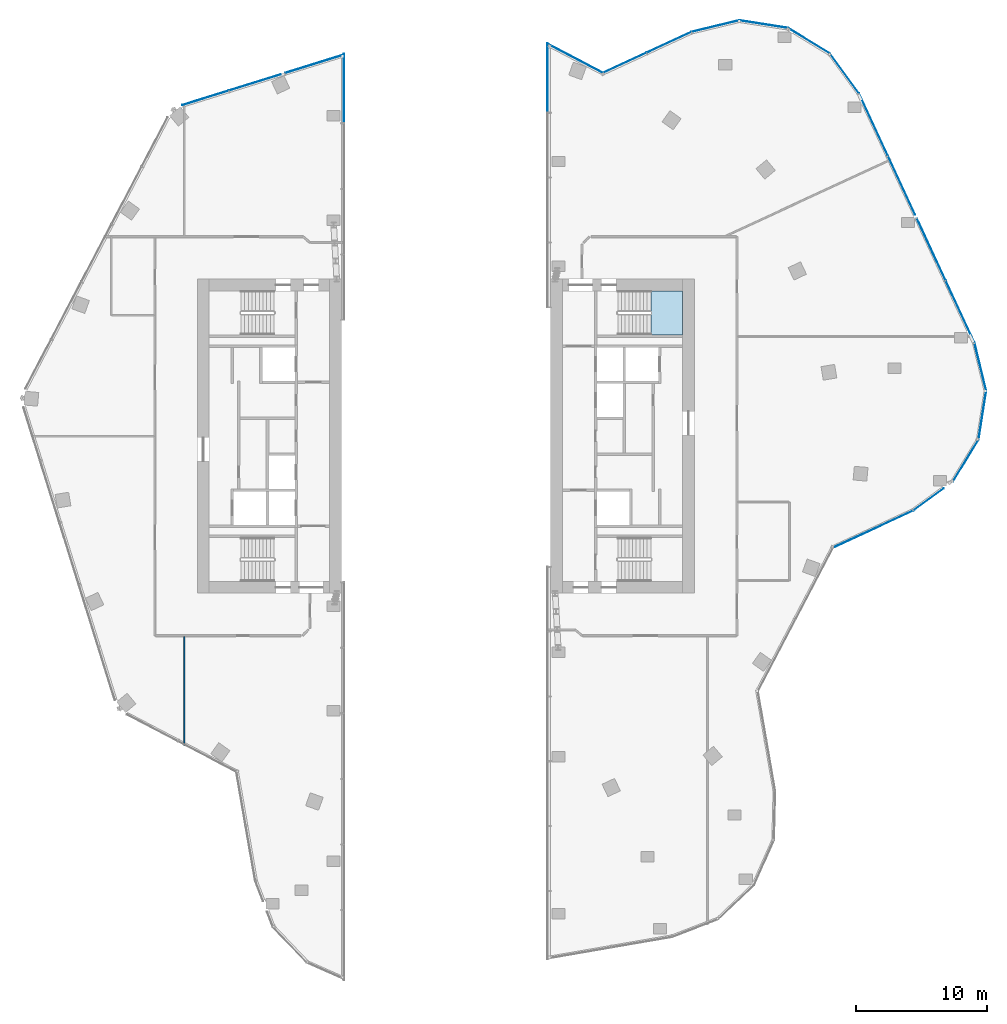
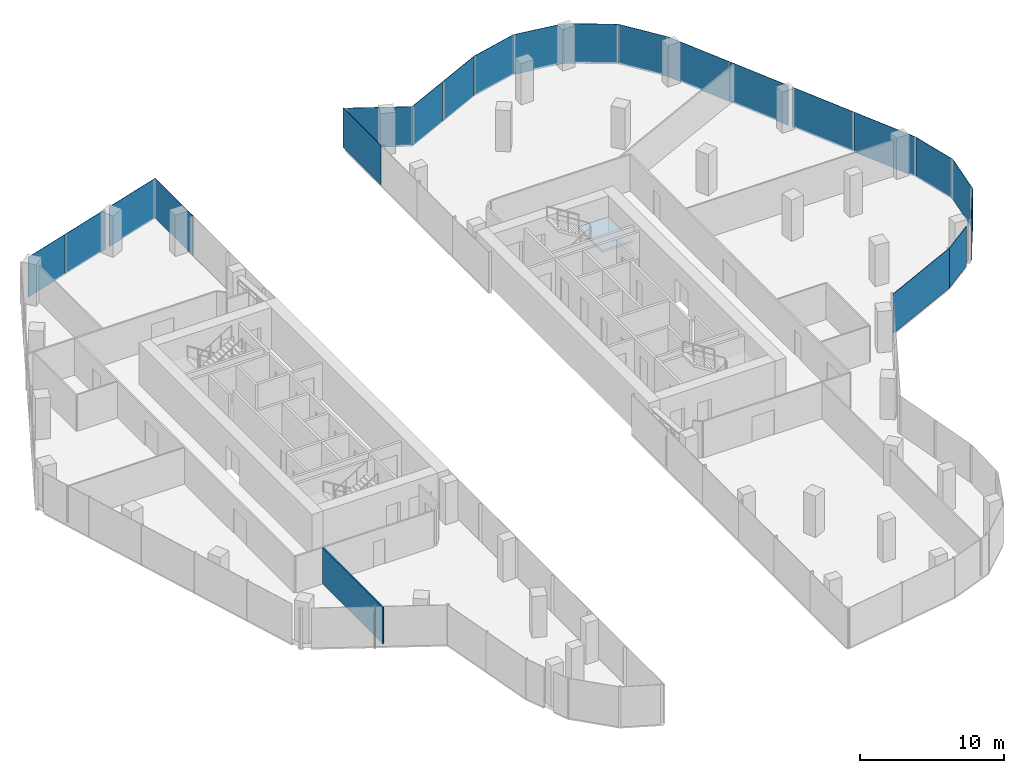
# One storey, part 17 of 23: 21 plates, 1 slab, 1 wall, 16 elements without a shape of their own.
"""IFC4 building model written with IfcOpenShell, lengths in metres."""

from ifc_helpers import new_model, si_unit, direction, frame, frame_2d, origin, origin_2d, place, context, subcontext, project, spatial, polyline, rectangle, outline, extrude, material, layer, layer_set, type_object, element, aggregate, save


model = new_model("IFC4")

# Units and contexts
model_context = context("Model", 3, precision=1e-05, world=origin(), true_north=direction((0.0, 1.0)))
body_context = subcontext(model_context, "Body", "Model", "MODEL_VIEW")
ifc_project = project(units=[si_unit("LENGTHUNIT", "METRE"), si_unit("AREAUNIT", "SQUARE_METRE"), si_unit("VOLUMEUNIT", "CUBIC_METRE"), si_unit("PLANEANGLEUNIT", "RADIAN"), si_unit("MASSUNIT", "GRAM", prefix="KILO")], contexts=[model_context])

# Site, building, storey
site_placement = place(None, origin())
site = spatial("IfcSite", under=ifc_project, at=site_placement, CompositionType="ELEMENT")
building_placement = place(site_placement, origin())
building = spatial("IfcBuilding", under=site, at=building_placement, Name="Orlundy Tower", CompositionType="ELEMENT")
storey_placement = place(building_placement, frame((0.0, 0.0, 260.5)))
storey = spatial("IfcBuildingStorey", under=building, at=storey_placement, Name="L69", CompositionType="ELEMENT", Elevation=260.5)

# Curtain wall, plates
ifc_material_1 = material(Name="Aluminium bronze anodised", Category="aluminium")
curtain_wall_type = type_object("IfcCurtainWallType", Name="CW1 wall", PredefinedType="NOTDEFINED", material=ifc_material_1)
curtain_wall_1_placement = place(storey_placement, origin())
curtain_wall_1 = element("IfcCurtainWall", 1, at=curtain_wall_1_placement, inside=storey, type_object=curtain_wall_type, Name="CW1 run 03", PredefinedType="NOTDEFINED")
ifc_material_2 = material(Name="Tinted glass", Category="glass")
ifc_layer_1 = layer(ifc_material_2, 0.031982421875)
ifc_layer_set_1 = layer_set([ifc_layer_1], Name="CW1 glass panel 32")
plate_type_1 = type_object("IfcPlateType", Name="CW1 glass panel 32", PredefinedType="CURTAIN_PANEL", material=ifc_layer_set_1)
plate_1_placement = place(storey_placement, frame((-18.385009765625, 25.860595703125, -0.280029296875), z_axis=(0.0, 0.0, 1.0), x_axis=(0.954586077066, 0.297935263894, 0.0)))
plate_1 = element("IfcPlate", 2, at=plate_1_placement, type_object=plate_type_1, Name="CW1 panel", PredefinedType="CURTAIN_PANEL", context=body_context, shape_type="SweptSolid", body=[
    extrude(rectangle(XDim=3.727294921875, YDim=0.031982421875, at=origin_2d()), origin(), (0.0, 0.0, 1.0), 3.3798828125),
])
plate_2_placement = place(storey_placement, frame((-14.598388671875, 27.042236328125, -0.280029296875), z_axis=(0.0, 0.0, 1.0), x_axis=(0.954586077066, 0.297935263894, 0.0)))
plate_2 = element("IfcPlate", 3, at=plate_2_placement, type_object=plate_type_1, Name="CW1 panel", PredefinedType="CURTAIN_PANEL", context=body_context, shape_type="SweptSolid", body=[
    extrude(rectangle(XDim=4.106201171875, YDim=0.031982421875, at=origin_2d()), origin(), (0.0, 0.0, 1.0), 3.3798828125),
])
plate_3_placement = place(storey_placement, frame((-10.0498046875, 28.4619140625, -0.280029296875), z_axis=(0.0, 0.0, 1.0), x_axis=(0.954586077066, 0.297935263894, 0.0)))
plate_3 = element("IfcPlate", 4, at=plate_3_placement, type_object=plate_type_1, Name="CW1 panel", PredefinedType="CURTAIN_PANEL", context=body_context, shape_type="SweptSolid", body=[
    extrude(rectangle(XDim=4.638427734375, YDim=0.031982421875, at=origin_2d()), origin(), (0.0, 0.0, 1.0), 3.3798828125),
])
aggregate(curtain_wall_1, [plate_1, plate_2, plate_3])

curtain_wall_2_placement = place(storey_placement, origin())
curtain_wall_2 = element("IfcCurtainWall", 5, at=curtain_wall_2_placement, inside=storey, type_object=curtain_wall_type, Name="CW1 run 10", PredefinedType="NOTDEFINED")
plate_4_placement = place(storey_placement, frame((13.65625, 28.538330078125, -0.280029296875), z_axis=(0.0, 0.0, 1.0), x_axis=(0.907535327513, 0.419975748486, 0.0)))
plate_4 = element("IfcPlate", 6, at=plate_4_placement, type_object=plate_type_1, Name="CW1 panel", PredefinedType="CURTAIN_PANEL", context=body_context, shape_type="SweptSolid", body=[
    extrude(rectangle(XDim=3.659912109375, YDim=0.031982421875, at=origin_2d()), origin(), (0.0, 0.0, 1.0), 3.3798828125),
])
plate_5_placement = place(storey_placement, frame((17.0556640625, 30.111328125, -0.280029296875), z_axis=(0.0, 0.0, 1.0), x_axis=(0.907535327513, 0.419975748486, 0.0)))
plate_5 = element("IfcPlate", 7, at=plate_5_placement, type_object=plate_type_1, Name="CW1 panel", PredefinedType="CURTAIN_PANEL", context=body_context, shape_type="SweptSolid", body=[
    extrude(rectangle(XDim=3.731689453125, YDim=0.031982421875, at=origin_2d()), origin(), (0.0, 0.0, 1.0), 3.3798828125),
])
aggregate(curtain_wall_2, [plate_4, plate_5])

# Curtain wall, plate
curtain_wall_3_placement = place(storey_placement, origin())
curtain_wall_3 = element("IfcCurtainWall", 8, at=curtain_wall_3_placement, inside=storey, type_object=curtain_wall_type, Name="CW1 run 11", PredefinedType="NOTDEFINED")
plate_6_placement = place(storey_placement, frame((20.609130859375, 31.349853515625, -0.280029296875), z_axis=(0.0, 0.0, 1.0), x_axis=(0.972001521614, 0.234974556025, 0.0)))
plate_6 = element("IfcPlate", 9, at=plate_6_placement, type_object=plate_type_1, Name="CW1 panel", PredefinedType="CURTAIN_PANEL", context=body_context, shape_type="SweptSolid", body=[
    extrude(rectangle(XDim=3.73046875, YDim=0.031982421875, at=origin_2d()), origin(), (0.0, 0.0, 1.0), 3.3798828125),
])
aggregate(curtain_wall_3, [plate_6])

curtain_wall_4_placement = place(storey_placement, origin())
curtain_wall_4 = element("IfcCurtainWall", 10, at=curtain_wall_4_placement, inside=storey, type_object=curtain_wall_type, Name="CW1 run 12", PredefinedType="NOTDEFINED")
plate_7_placement = place(storey_placement, frame((24.285400390625, 31.49560546875, -0.280029296875), z_axis=(0.0, 0.0, 1.0), x_axis=(0.987896030416, -0.15511748157, 0.0)))
plate_7 = element("IfcPlate", 11, at=plate_7_placement, type_object=plate_type_1, Name="CW1 panel", PredefinedType="CURTAIN_PANEL", context=body_context, shape_type="SweptSolid", body=[
    extrude(rectangle(XDim=3.772216796875, YDim=0.031982421875, at=origin_2d()), origin(), (0.0, 0.0, 1.0), 3.3798828125),
])
aggregate(curtain_wall_4, [plate_7])

curtain_wall_5_placement = place(storey_placement, origin())
curtain_wall_5 = element("IfcCurtainWall", 12, at=curtain_wall_5_placement, inside=storey, type_object=curtain_wall_type, Name="CW1 run 13", PredefinedType="NOTDEFINED")
plate_8_placement = place(storey_placement, frame((27.758544921875, 30.219970703125, -0.280029296875), z_axis=(0.0, 0.0, 1.0), x_axis=(0.853468477843, -0.521144468768, 0.0)))
plate_8 = element("IfcPlate", 13, at=plate_8_placement, type_object=plate_type_1, Name="CW1 panel", PredefinedType="CURTAIN_PANEL", context=body_context, shape_type="SweptSolid", body=[
    extrude(rectangle(XDim=3.7724609375, YDim=0.031982421875, at=origin_2d()), origin(), (0.0, 0.0, 1.0), 3.3798828125),
])
aggregate(curtain_wall_5, [plate_8])

curtain_wall_6_placement = place(storey_placement, origin())
curtain_wall_6 = element("IfcCurtainWall", 14, at=curtain_wall_6_placement, inside=storey, type_object=curtain_wall_type, Name="CW1 run 14", PredefinedType="NOTDEFINED")
plate_9_placement = place(storey_placement, frame((30.466796875, 27.7294921875, -0.280029296875), z_axis=(0.0, 0.0, 1.0), x_axis=(0.588893262489, -0.80821081742, 0.0)))
plate_9 = element("IfcPlate", 15, at=plate_9_placement, type_object=plate_type_1, Name="CW1 panel", PredefinedType="CURTAIN_PANEL", context=body_context, shape_type="SweptSolid", body=[
    extrude(rectangle(XDim=3.730712890625, YDim=0.031982421875, at=origin_2d()), origin(), (0.0, 0.0, 1.0), 3.3798828125),
])
aggregate(curtain_wall_6, [plate_9])

# Curtain wall, plates
curtain_wall_7_placement = place(storey_placement, origin())
curtain_wall_7 = element("IfcCurtainWall", 16, at=curtain_wall_7_placement, inside=storey, type_object=curtain_wall_type, Name="CW1 run 15", PredefinedType="NOTDEFINED")
plate_10_placement = place(storey_placement, frame((32.685791015625, 23.81201171875, -0.280029296875), z_axis=(0.0, 0.0, 1.0), x_axis=(0.419960892154, -0.907542202358, 0.0)))
plate_10 = element("IfcPlate", 17, at=plate_10_placement, type_object=plate_type_1, Name="CW1 panel", PredefinedType="CURTAIN_PANEL", context=body_context, shape_type="SweptSolid", body=[
    extrude(rectangle(XDim=5.2158203125, YDim=0.031982421875, at=origin_2d()), origin(), (0.0, 0.0, 1.0), 3.3798828125),
])
plate_11_placement = place(storey_placement, frame((34.834716796875, 19.16845703125, -0.280029296875), z_axis=(0.0, 0.0, 1.0), x_axis=(0.419960892154, -0.907542202358, 0.0)))
plate_11 = element("IfcPlate", 18, at=plate_11_placement, type_object=plate_type_1, Name="CW1 panel", PredefinedType="CURTAIN_PANEL", context=body_context, shape_type="SweptSolid", body=[
    extrude(rectangle(XDim=4.917236328125, YDim=0.031982421875, at=origin_2d()), origin(), (0.0, 0.0, 1.0), 3.3798828125),
])
plate_12_placement = place(storey_placement, frame((37.0986328125, 14.275634765625, -0.280029296875), z_axis=(0.0, 0.0, 1.0), x_axis=(0.419960892154, -0.907542202358, 0.0)))
plate_12 = element("IfcPlate", 19, at=plate_12_placement, type_object=plate_type_1, Name="CW1 panel", PredefinedType="CURTAIN_PANEL", context=body_context, shape_type="SweptSolid", body=[
    extrude(rectangle(XDim=5.199951171875, YDim=0.031982421875, at=origin_2d()), origin(), (0.0, 0.0, 1.0), 3.3798828125),
])
plate_13_placement = place(storey_placement, frame((39.306884765625, 9.50390625, -0.280029296875), z_axis=(0.0, 0.0, 1.0), x_axis=(0.419960892154, -0.907542202358, 0.0)))
plate_13 = element("IfcPlate", 20, at=plate_13_placement, type_object=plate_type_1, Name="CW1 panel", PredefinedType="CURTAIN_PANEL", context=body_context, shape_type="SweptSolid", body=[
    extrude(rectangle(XDim=5.2158203125, YDim=0.031982421875, at=origin_2d()), origin(), (0.0, 0.0, 1.0), 3.3798828125),
])
aggregate(curtain_wall_7, [plate_10, plate_11, plate_12, plate_13])

# Curtain wall, plate
curtain_wall_8_placement = place(storey_placement, origin())
curtain_wall_8 = element("IfcCurtainWall", 21, at=curtain_wall_8_placement, inside=storey, type_object=curtain_wall_type, Name="CW1 run 16", PredefinedType="NOTDEFINED")
plate_14_placement = place(storey_placement, frame((40.856689453125, 5.27685546875, -0.280029296875), z_axis=(0.0, 0.0, 1.0), x_axis=(0.234974556025, -0.972001521614, 0.0)))
plate_14 = element("IfcPlate", 22, at=plate_14_placement, type_object=plate_type_1, Name="CW1 panel", PredefinedType="CURTAIN_PANEL", context=body_context, shape_type="SweptSolid", body=[
    extrude(rectangle(XDim=3.73046875, YDim=0.031982421875, at=origin_2d()), origin(), (0.0, 0.0, 1.0), 3.3798828125),
])
aggregate(curtain_wall_8, [plate_14])

curtain_wall_9_placement = place(storey_placement, origin())
curtain_wall_9 = element("IfcCurtainWall", 23, at=curtain_wall_9_placement, inside=storey, type_object=curtain_wall_type, Name="CW1 run 17", PredefinedType="NOTDEFINED")
plate_15_placement = place(storey_placement, frame((41.00244140625, 1.6005859375, -0.280029296875), z_axis=(0.0, 0.0, 1.0), x_axis=(-0.15511748157, -0.987896030416, 0.0)))
plate_15 = element("IfcPlate", 24, at=plate_15_placement, type_object=plate_type_1, Name="CW1 panel", PredefinedType="CURTAIN_PANEL", context=body_context, shape_type="SweptSolid", body=[
    extrude(rectangle(XDim=3.772216796875, YDim=0.031982421875, at=origin_2d()), origin(), (0.0, 0.0, 1.0), 3.3798828125),
])
aggregate(curtain_wall_9, [plate_15])

curtain_wall_10_placement = place(storey_placement, origin())
curtain_wall_10 = element("IfcCurtainWall", 25, at=curtain_wall_10_placement, inside=storey, type_object=curtain_wall_type, Name="CW1 run 18", PredefinedType="NOTDEFINED")
plate_16_placement = place(storey_placement, frame((39.72705078125, -1.8720703125, -0.280029296875), z_axis=(0.0, 0.0, 1.0), x_axis=(-0.521264467859, -0.85339519248, 0.0)))
plate_16 = element("IfcPlate", 26, at=plate_16_placement, type_object=plate_type_1, Name="CW1 panel", PredefinedType="CURTAIN_PANEL", context=body_context, shape_type="SweptSolid", body=[
    extrude(rectangle(XDim=3.771484375, YDim=0.031982421875, at=origin_2d()), origin(), (0.0, 0.0, 1.0), 3.3798828125),
])
aggregate(curtain_wall_10, [plate_16])

curtain_wall_11_placement = place(storey_placement, origin())
curtain_wall_11 = element("IfcCurtainWall", 27, at=curtain_wall_11_placement, inside=storey, type_object=curtain_wall_type, Name="CW1 run 19", PredefinedType="NOTDEFINED")
plate_17_placement = place(storey_placement, frame((36.887939453125, -4.834228515625, -0.280029296875), z_axis=(0.0, 0.0, 1.0), x_axis=(-0.808117234179, -0.58902167687, 0.0)))
plate_17 = element("IfcPlate", 28, at=plate_17_placement, type_object=plate_type_1, Name="CW1 panel", PredefinedType="CURTAIN_PANEL", context=body_context, shape_type="SweptSolid", body=[
    extrude(rectangle(XDim=2.8662109375, YDim=0.031982421875, at=origin_2d()), origin(), (0.0, 0.0, 1.0), 3.3798828125),
])
aggregate(curtain_wall_11, [plate_17])

curtain_wall_12_placement = place(storey_placement, origin())
curtain_wall_12 = element("IfcCurtainWall", 29, at=curtain_wall_12_placement, inside=storey, type_object=curtain_wall_type, Name="CW1 run 110", PredefinedType="NOTDEFINED")
plate_18_placement = place(storey_placement, frame((32.637451171875, -7.114501953125, -0.280029296875), z_axis=(0.0, 0.0, 1.0), x_axis=(-0.907549103061, -0.419945979305, 0.0)))
plate_18 = element("IfcPlate", 30, at=plate_18_placement, type_object=plate_type_1, Name="CW1 panel", PredefinedType="CURTAIN_PANEL", context=body_context, shape_type="SweptSolid", body=[
    extrude(rectangle(XDim=6.719482421875, YDim=0.031982421875, at=origin_2d()), origin(), (0.0, 0.0, 1.0), 3.3798828125),
])
aggregate(curtain_wall_12, [plate_18])

curtain_wall_13_placement = place(storey_placement, origin())
curtain_wall_13 = element("IfcCurtainWall", 31, at=curtain_wall_13_placement, inside=storey, type_object=curtain_wall_type, Name="CW1 run 119", PredefinedType="NOTDEFINED")
plate_19_placement = place(storey_placement, frame((9.915771484375, 28.85986328125, -0.280029296875), z_axis=(0.0, 0.0, 1.0), x_axis=(0.885696843305, -0.464264043147, 0.0)))
plate_19 = element("IfcPlate", 32, at=plate_19_placement, type_object=plate_type_1, Name="CW1 panel", PredefinedType="CURTAIN_PANEL", context=body_context, shape_type="SweptSolid", body=[
    extrude(rectangle(XDim=4.6962890625, YDim=0.031982421875, at=origin_2d()), origin(), (0.0, 0.0, 1.0), 3.3798828125),
])
aggregate(curtain_wall_13, [plate_19])

curtain_wall_14_placement = place(storey_placement, origin())
curtain_wall_14 = element("IfcCurtainWall", 33, at=curtain_wall_14_placement, inside=storey, type_object=curtain_wall_type, Name="CW1 run 04", PredefinedType="NOTDEFINED")
ifc_material_3 = material(Name="Tinted glass", Category="glass")
ifc_layer_2 = layer(ifc_material_3, 0.035888671875)
ifc_layer_set_2 = layer_set([ifc_layer_2], Name="CW6 glass panel 36")
plate_type_2 = type_object("IfcPlateType", Name="CW6 glass panel 36", PredefinedType="CURTAIN_PANEL", material=ifc_layer_set_2)
plate_20_placement = place(storey_placement, frame((-7.778076171875, 26.575439453125, -0.240234375), z_axis=(0.0, 0.0, 1.0), x_axis=(0.0, -1.0, 0.0)))
plate_20 = element("IfcPlate", 34, at=plate_20_placement, type_object=plate_type_2, Name="CW6 panel", PredefinedType="CURTAIN_PANEL", context=body_context, shape_type="SweptSolid", body=[
    extrude(rectangle(XDim=5.312744140625, YDim=0.035888671875, at=origin_2d()), origin(), (0.0, 0.0, 1.0), 3.340087890625),
])
aggregate(curtain_wall_14, [plate_20])

curtain_wall_15_placement = place(storey_placement, origin())
curtain_wall_15 = element("IfcCurtainWall", 35, at=curtain_wall_15_placement, inside=storey, type_object=curtain_wall_type, Name="CW1 run 118", PredefinedType="NOTDEFINED")
plate_21_placement = place(storey_placement, frame((7.778076171875, 27.384033203125, -0.240234375), z_axis=(0.0, 0.0, 1.0), x_axis=(0.0, 1.0, 0.0)))
plate_21 = element("IfcPlate", 36, at=plate_21_placement, type_object=plate_type_2, Name="CW6 panel", PredefinedType="CURTAIN_PANEL", context=body_context, shape_type="SweptSolid", body=[
    extrude(rectangle(XDim=5.323974609375, YDim=0.035888671875, at=origin_2d()), origin(), (0.0, 0.0, 1.0), 3.340087890625),
])
aggregate(curtain_wall_15, [plate_21])

# Stair, slab
ifc_material_4 = material(Name="Concrete C50/60", Category="concrete")
stair_type = type_object("IfcStairType", Name="Exit Stair 20 risers", PredefinedType="HALF_TURN_STAIR", material=ifc_material_4)
stair_placement = place(storey_placement, origin())
stair = element("IfcStair", 37, at=stair_placement, inside=storey, type_object=stair_type, Name="L69 Exit Stair ST-E2", PredefinedType="HALF_TURN_STAIR")
ifc_material_5 = material(Name="Concrete C50/60", Category="concrete")
ifc_layer_3 = layer(ifc_material_5, 0.199951171875)
ifc_layer_set_3 = layer_set([ifc_layer_3], Name="Exit Stair Landing")
slab_type = type_object("IfcSlabType", Name="Exit Stair Landing", PredefinedType="LANDING", material=ifc_layer_set_3)
slab_placement = place(storey_placement, frame((0.0, 0.0, 1.550048828125)))
slab = element("IfcSlab", 38, at=slab_placement, type_object=slab_type, Name="ST-E2 landing 1", PredefinedType="LANDING", context=body_context, shape_type="SweptSolid", body=[
    extrude(outline(polyline([(15.659912109375, 7.75), (18.10009765625, 7.75), (18.10009765625, 11.10009765625), (15.659912109375, 11.10009765625), (15.659912109375, 7.75)])), origin(), (0.0, 0.0, 1.0), 0.199951171875),
])
aggregate(stair, [slab])

# Wall
ifc_material_6 = material(Name="Gypsum board partition")
ifc_layer_4 = layer(ifc_material_6, 0.10009765625)
ifc_layer_set_4 = layer_set([ifc_layer_4], Name="Floor partition 100")
wall_type = type_object("IfcWallType", Name="Floor partition 100", PredefinedType="PARTITIONING", material=ifc_layer_set_4)
wall_placement = place(storey_placement, frame((-20.0, -23.6689453125, 0.0), z_axis=(0.0, 0.0, 1.0), x_axis=(0.0, 1.0, 0.0)))
element("IfcWall", 39, at=wall_placement, inside=storey, type_object=wall_type, Name="wall-int-L69-022", PredefinedType="PARTITIONING", context=body_context, shape_type="SweptSolid", body=[
    extrude(rectangle(XDim=8.35693359375, YDim=0.10009765625, at=frame_2d((4.178466796875, 0.0))), origin(), (0.0, 0.0, 1.0), 3.080078125),
])

save(model, "model.ifc")
